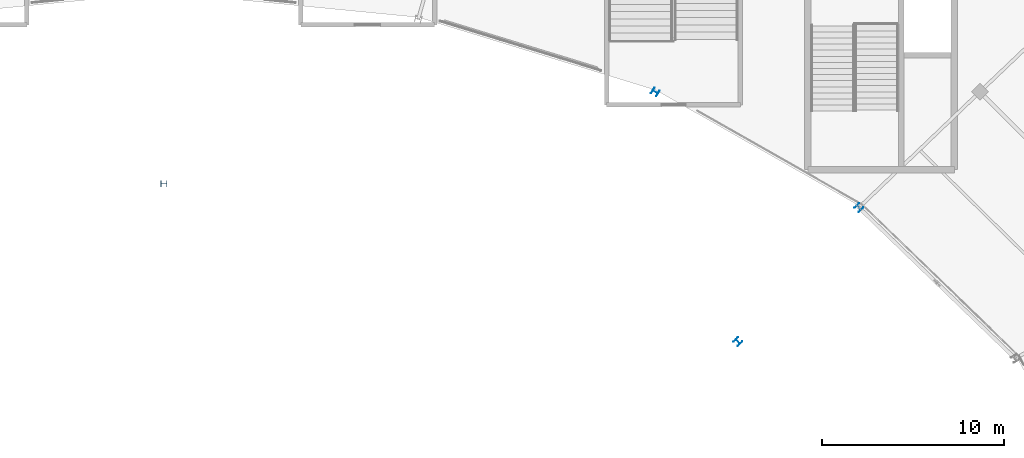
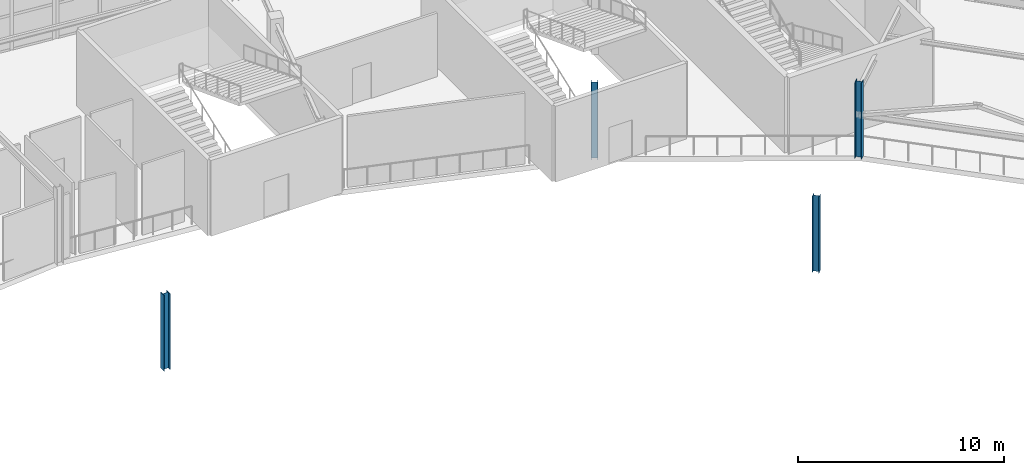
# One storey, part 7 of 126: 4 columns.
"""IFC4 building model written with IfcOpenShell, lengths in metres."""

from ifc_helpers import new_model, si_unit, direction, frame, origin, origin_2d, place, context, subcontext, project, spatial, i_section, extrude, material, material_profile, profile_set, type_object, element, save


model = new_model("IFC4")

# Units and contexts
model_context = context("Model", 3, precision=1e-05, world=origin(), true_north=direction((0.0, 1.0)))
body_context = subcontext(model_context, "Body", "Model", "MODEL_VIEW")
ifc_project = project(units=[si_unit("LENGTHUNIT", "METRE"), si_unit("AREAUNIT", "SQUARE_METRE"), si_unit("VOLUMEUNIT", "CUBIC_METRE"), si_unit("PLANEANGLEUNIT", "RADIAN"), si_unit("MASSUNIT", "GRAM", prefix="KILO")], contexts=[model_context])

# Site, building, storey
site_placement = place(None, origin())
site = spatial("IfcSite", under=ifc_project, at=site_placement, CompositionType="ELEMENT")
building_placement = place(site_placement, origin())
building = spatial("IfcBuilding", under=site, at=building_placement, Name="Kalgoora Escarpment Arena", CompositionType="ELEMENT")
storey_placement = place(building_placement, frame((0.0, 0.0, 18.89990234375)))
storey = spatial("IfcBuildingStorey", under=building, at=storey_placement, Name="L04", CompositionType="ELEMENT", Elevation=18.89990234375)

# Columns
ifc_material = material(Name="Structural steel Grade 350 (350 MPa)", Category="steel")
ifc_material_profile = material_profile(ifc_material, i_section(OverallWidth=0.35009765625, OverallDepth=0.35009765625, WebThickness=0.013916015625, FlangeThickness=0.02392578125, at=origin_2d()))
ifc_profile_set = profile_set([ifc_material_profile], Name="Structural steel Grade 350 (350 MPa)")
column_type = type_object("IfcColumnType", Name="COL-COL-350WC197", PredefinedType="COLUMN", material=ifc_profile_set)
for number, where, z_axis, x_axis, name in (
    (1, (130.583740234375, 92.2841796875, 0.0), (0.0, 0.0, 1.0), (0.707106781187, 0.707106781187, 0.0), "L04 structural column COL-RMAIN-R04"),
    (2, (119.39990234375, 98.64111328125, 0.0), (0.0, 0.0, 1.0), (0.5, 0.866025403784, 0.0), "L04 structural column COL-RMAIN-R05"),
    (3, (123.93701171875, 84.930419921875, 0.0), (0.0, 0.0, 1.0), (0.707106781187, 0.707106781187, 0.0), "L04 structural column COL-TSPINE-S02"),
    (4, (92.39990234375, 93.60009765625, 0.0), (0.0, 0.0, 1.0), (0.0, 1.0, 0.0), "L04 structural column COL-TSPINE-S03"),
):
    element("IfcColumn", number, at=place(storey_placement, frame(where, z_axis=z_axis, x_axis=x_axis)), inside=storey, type_object=column_type, Name=name, PredefinedType="COLUMN", context=body_context, shape_type="SweptSolid", body=[
        extrude(i_section(OverallWidth=0.35009765625, OverallDepth=0.35009765625, WebThickness=0.013916015625, FlangeThickness=0.02392578125, at=origin_2d()), origin(), (0.0, 0.0, 1.0), 4.5),
    ])

save(model, "model.ifc")
